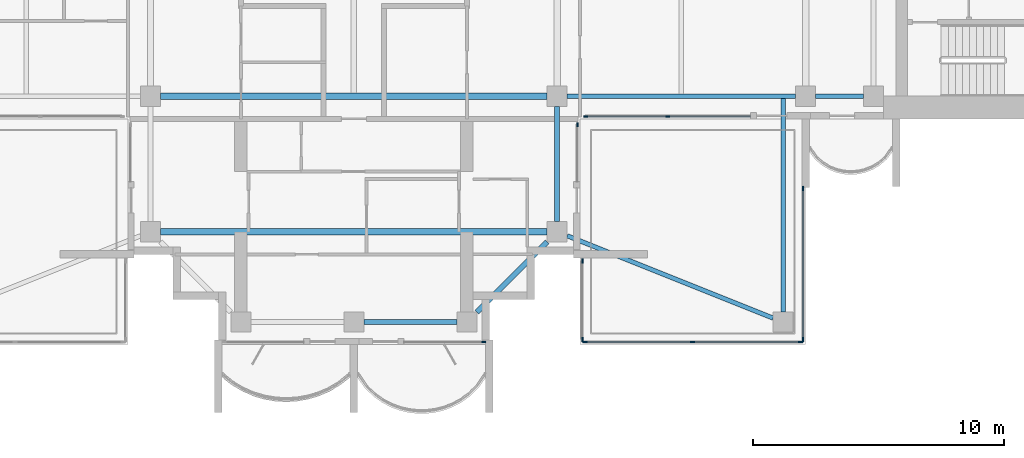
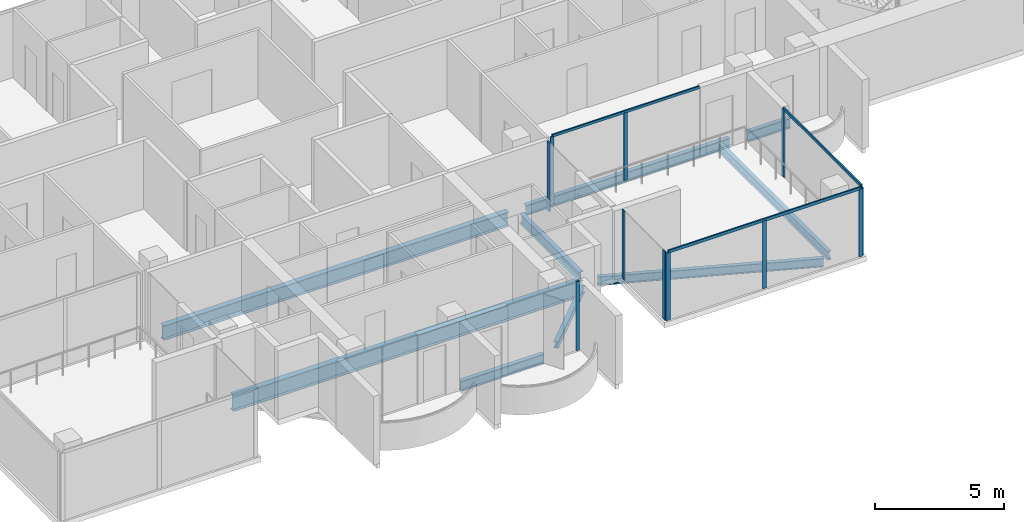
# One storey, part 3 of 16: 14 members, 9 beams, 6 elements without a shape of their own.
"""IFC4 building model written with IfcOpenShell, lengths in metres."""

from ifc_helpers import new_model, si_unit, direction, frame, origin, origin_2d, place, context, subcontext, project, spatial, rectangle, i_section, extrude, material, material_profile, profile_set, type_object, element, aggregate, save


model = new_model("IFC4")

# Units and contexts
model_context = context("Model", 3, precision=1e-05, world=origin(), true_north=direction((0.0, 1.0)))
body_context = subcontext(model_context, "Body", "Model", "MODEL_VIEW")
ifc_project = project(units=[si_unit("LENGTHUNIT", "METRE"), si_unit("AREAUNIT", "SQUARE_METRE"), si_unit("VOLUMEUNIT", "CUBIC_METRE"), si_unit("PLANEANGLEUNIT", "RADIAN"), si_unit("MASSUNIT", "GRAM", prefix="KILO")], contexts=[model_context])

# Site, building, storey
site_placement = place(None, origin())
site = spatial("IfcSite", under=ifc_project, at=site_placement, CompositionType="ELEMENT")
building_placement = place(site_placement, origin())
building = spatial("IfcBuilding", under=site, at=building_placement, Name="Perihelion Cross Residences", CompositionType="ELEMENT")
storey_placement = place(building_placement, frame((0.0, 0.0, 246.5)))
storey = spatial("IfcBuildingStorey", under=building, at=storey_placement, Name="L62", CompositionType="ELEMENT", Elevation=246.5)

# Curtain wall, member
ifc_material_1 = material(Name="Bronze anodised aluminium, tinted glazing", Category="aluminium")
curtain_wall_type_1 = type_object("IfcCurtainWallType", Name="CW1", PredefinedType="NOTDEFINED", material=ifc_material_1)
curtain_wall_1_placement = place(storey_placement, origin())
curtain_wall_1 = element("IfcCurtainWall", 1, at=curtain_wall_1_placement, inside=storey, type_object=curtain_wall_type_1, Name="Curtain wall CW1 L62 south tip south bay 2", PredefinedType="NOTDEFINED")
ifc_material_2 = material(Name="Bronze anodised aluminium", Category="aluminium")
ifc_material_profile_1 = material_profile(ifc_material_2, rectangle(XDim=0.06005859375, YDim=0.159912109375, at=origin_2d()), Name="CW1 mullion")
ifc_profile_set_1 = profile_set([ifc_material_profile_1], Name="Bronze anodised aluminium")
member_type_1 = type_object("IfcMemberType", Name="CW1 mullion", PredefinedType="MULLION", material=ifc_profile_set_1)
member_1_placement = place(storey_placement, frame((5.169921875, -17.89990234375, 0.0), z_axis=(0.0, 0.0, 1.0), x_axis=(0.0, 1.0, 0.0)))
member_1 = element("IfcMember", 2, at=member_1_placement, type_object=member_type_1, Name="CW1 mullion 2", PredefinedType="MULLION", context=body_context, shape_type="SweptSolid", body=[
    extrude(rectangle(XDim=0.06005859375, YDim=0.159912109375, at=origin_2d()), origin(), (0.0, 0.0, 1.0), 3.25),
])
aggregate(curtain_wall_1, [member_1])

curtain_wall_2_placement = place(storey_placement, origin())
curtain_wall_2 = element("IfcCurtainWall", 3, at=curtain_wall_2_placement, inside=storey, type_object=curtain_wall_type_1, Name="Curtain wall CW1 L62 south side east bay 1", PredefinedType="NOTDEFINED")
member_2_placement = place(storey_placement, frame((8.89990234375, -9.22998046875, 0.0), z_axis=(0.0, 0.0, 1.0), x_axis=(-1.0, 0.0, 0.0)))
member_2 = element("IfcMember", 4, at=member_2_placement, type_object=member_type_1, Name="CW1 mullion 2", PredefinedType="MULLION", context=body_context, shape_type="SweptSolid", body=[
    extrude(rectangle(XDim=0.06005859375, YDim=0.159912109375, at=origin_2d()), origin(), (0.0, 0.0, 1.0), 3.25),
])
aggregate(curtain_wall_2, [member_2])

# Curtain wall, members
curtain_wall_3_placement = place(storey_placement, origin())
curtain_wall_3 = element("IfcCurtainWall", 5, at=curtain_wall_3_placement, inside=storey, type_object=curtain_wall_type_1, Name="Curtain wall CW1 L62 east side south bay 1", PredefinedType="NOTDEFINED")
member_3_placement = place(storey_placement, frame((9.22998046875, -8.89990234375, 0.0), z_axis=(0.0, 0.0, 1.0), x_axis=(0.0, 1.0, 0.0)))
member_3 = element("IfcMember", 6, at=member_3_placement, type_object=member_type_1, Name="CW1 mullion 1", PredefinedType="MULLION", context=body_context, shape_type="SweptSolid", body=[
    extrude(rectangle(XDim=0.06005859375, YDim=0.159912109375, at=origin_2d()), origin(), (0.0, 0.0, 1.0), 3.18994140625),
])
member_4_placement = place(storey_placement, frame((12.5, -8.89990234375, 0.0), z_axis=(0.0, 0.0, 1.0), x_axis=(0.0, 1.0, 0.0)))
member_4 = element("IfcMember", 7, at=member_4_placement, type_object=member_type_1, Name="CW1 mullion 2", PredefinedType="MULLION", context=body_context, shape_type="SweptSolid", body=[
    extrude(rectangle(XDim=0.06005859375, YDim=0.159912109375, at=origin_2d()), origin(), (0.0, 0.0, 1.0), 3.18994140625),
])
ifc_material_3 = material(Name="Bronze anodised aluminium", Category="aluminium")
ifc_material_profile_2 = material_profile(ifc_material_3, rectangle(XDim=0.06005859375, YDim=0.1201171875, at=origin_2d()), Name="CW1 transom")
ifc_profile_set_2 = profile_set([ifc_material_profile_2], Name="Bronze anodised aluminium")
member_type_2 = type_object("IfcMemberType", Name="CW1 transom", PredefinedType="USERDEFINED", material=ifc_profile_set_2)
member_5_placement = place(storey_placement, frame((9.22998046875, -8.89990234375, 3.219970703125), z_axis=(1.0, 0.0, 0.0), x_axis=(0.0, 1.0, 0.0)))
member_5 = element("IfcMember", 8, at=member_5_placement, type_object=member_type_2, Name="CW1 head transom", ObjectType="TRANSOM", PredefinedType="USERDEFINED", context=body_context, shape_type="SweptSolid", body=[
    extrude(rectangle(XDim=0.06005859375, YDim=0.1201171875, at=origin_2d()), origin(), (0.0, 0.0, 1.0), 6.570068359375),
])
aggregate(curtain_wall_3, [member_3, member_4, member_5])

ifc_material_4 = material(Name="Bronze anodised aluminium, tinted glazing", Category="aluminium")
curtain_wall_type_2 = type_object("IfcCurtainWallType", Name="CW4", PredefinedType="NOTDEFINED", material=ifc_material_4)
curtain_wall_4_placement = place(storey_placement, origin())
curtain_wall_4 = element("IfcCurtainWall", 9, at=curtain_wall_4_placement, inside=storey, type_object=curtain_wall_type_2, Name="Curtain wall CW4 L62 pocket south-east 1 1", PredefinedType="NOTDEFINED")
ifc_material_5 = material(Name="Bronze anodised aluminium", Category="aluminium")
ifc_material_profile_3 = material_profile(ifc_material_5, rectangle(XDim=0.06005859375, YDim=0.179931640625, at=origin_2d()), Name="CW4 mullion")
ifc_profile_set_3 = profile_set([ifc_material_profile_3], Name="Bronze anodised aluminium")
member_type_3 = type_object("IfcMemberType", Name="CW4 mullion", PredefinedType="MULLION", material=ifc_profile_set_3)
member_6_placement = place(storey_placement, frame((17.89990234375, -11.77001953125, 0.0), z_axis=(0.0, 0.0, 1.0), x_axis=(1.0, 0.0, 0.0)))
member_6 = element("IfcMember", 10, at=member_6_placement, type_object=member_type_3, Name="CW4 mullion 1", PredefinedType="MULLION", context=body_context, shape_type="SweptSolid", body=[
    extrude(rectangle(XDim=0.06005859375, YDim=0.179931640625, at=origin_2d()), origin(), (0.0, 0.0, 1.0), 3.18994140625),
])
member_7_placement = place(storey_placement, frame((17.89990234375, -17.800048828125, 0.0), z_axis=(0.0, 0.0, 1.0), x_axis=(1.0, 0.0, 0.0)))
member_7 = element("IfcMember", 11, at=member_7_placement, type_object=member_type_3, Name="CW4 mullion 2", PredefinedType="MULLION", context=body_context, shape_type="SweptSolid", body=[
    extrude(rectangle(XDim=0.06005859375, YDim=0.179931640625, at=origin_2d()), origin(), (0.0, 0.0, 1.0), 3.18994140625),
])

curtain_wall_5_placement = place(storey_placement, origin())
curtain_wall_5 = element("IfcCurtainWall", 12, at=curtain_wall_5_placement, inside=storey, type_object=curtain_wall_type_2, Name="Curtain wall CW4 L62 pocket south-east 1 2", PredefinedType="NOTDEFINED")
member_8_placement = place(storey_placement, frame((17.800048828125, -17.89990234375, 0.0), z_axis=(0.0, 0.0, 1.0), x_axis=(0.0, -1.0, 0.0)))
member_8 = element("IfcMember", 13, at=member_8_placement, type_object=member_type_3, Name="CW4 mullion 1", PredefinedType="MULLION", context=body_context, shape_type="SweptSolid", body=[
    extrude(rectangle(XDim=0.06005859375, YDim=0.179931640625, at=origin_2d()), origin(), (0.0, 0.0, 1.0), 3.18994140625),
])
member_9_placement = place(storey_placement, frame((13.5, -17.89990234375, 0.0), z_axis=(0.0, 0.0, 1.0), x_axis=(0.0, -1.0, 0.0)))
member_9 = element("IfcMember", 14, at=member_9_placement, type_object=member_type_3, Name="CW4 mullion 2", PredefinedType="MULLION", context=body_context, shape_type="SweptSolid", body=[
    extrude(rectangle(XDim=0.06005859375, YDim=0.179931640625, at=origin_2d()), origin(), (0.0, 0.0, 1.0), 3.18994140625),
])
member_10_placement = place(storey_placement, frame((9.199951171875, -17.89990234375, 0.0), z_axis=(0.0, 0.0, 1.0), x_axis=(0.0, -1.0, 0.0)))
member_10 = element("IfcMember", 15, at=member_10_placement, type_object=member_type_3, Name="CW4 mullion 3", PredefinedType="MULLION", context=body_context, shape_type="SweptSolid", body=[
    extrude(rectangle(XDim=0.06005859375, YDim=0.179931640625, at=origin_2d()), origin(), (0.0, 0.0, 1.0), 3.18994140625),
])

curtain_wall_6_placement = place(storey_placement, origin())
curtain_wall_6 = element("IfcCurtainWall", 16, at=curtain_wall_6_placement, inside=storey, type_object=curtain_wall_type_2, Name="Curtain wall CW4 L62 pocket south-east 1 3", PredefinedType="NOTDEFINED")
member_11_placement = place(storey_placement, frame((9.10009765625, -17.800048828125, 0.0), z_axis=(0.0, 0.0, 1.0), x_axis=(-1.0, 0.0, 0.0)))
member_11 = element("IfcMember", 17, at=member_11_placement, type_object=member_type_3, Name="CW4 mullion 1", PredefinedType="MULLION", context=body_context, shape_type="SweptSolid", body=[
    extrude(rectangle(XDim=0.06005859375, YDim=0.179931640625, at=origin_2d()), origin(), (0.0, 0.0, 1.0), 3.25),
])
member_12_placement = place(storey_placement, frame((9.10009765625, -14.658935546875, 0.0), z_axis=(0.0, 0.0, 1.0), x_axis=(-1.0, 0.0, 0.0)))
member_12 = element("IfcMember", 18, at=member_12_placement, type_object=member_type_3, Name="CW4 mullion 2", PredefinedType="MULLION", context=body_context, shape_type="SweptSolid", body=[
    extrude(rectangle(XDim=0.06005859375, YDim=0.179931640625, at=origin_2d()), origin(), (0.0, 0.0, 1.0), 3.25),
])
aggregate(curtain_wall_6, [member_11, member_12])

# Member
ifc_material_6 = material(Name="Bronze anodised aluminium", Category="aluminium")
ifc_material_profile_4 = material_profile(ifc_material_6, rectangle(XDim=0.06005859375, YDim=0.139892578125, at=origin_2d()), Name="CW4 transom")
ifc_profile_set_4 = profile_set([ifc_material_profile_4], Name="Bronze anodised aluminium")
member_type_4 = type_object("IfcMemberType", Name="CW4 transom", PredefinedType="USERDEFINED", material=ifc_profile_set_4)
member_13_placement = place(storey_placement, frame((17.89990234375, -11.77001953125, 3.219970703125), z_axis=(0.0, -1.0, 0.0), x_axis=(1.0, 0.0, 0.0)))
member_13 = element("IfcMember", 19, at=member_13_placement, type_object=member_type_4, Name="CW4 head transom", ObjectType="TRANSOM", PredefinedType="USERDEFINED", context=body_context, shape_type="SweptSolid", body=[
    extrude(rectangle(XDim=0.06005859375, YDim=0.139892578125, at=origin_2d()), origin(), (0.0, 0.0, 1.0), 6.030029296875),
])

aggregate(curtain_wall_4, [member_6, member_7, member_13])

member_14_placement = place(storey_placement, frame((17.800048828125, -17.89990234375, 3.219970703125), z_axis=(-1.0, 0.0, 0.0), x_axis=(0.0, -1.0, 0.0)))
member_14 = element("IfcMember", 20, at=member_14_placement, type_object=member_type_4, Name="CW4 head transom", ObjectType="TRANSOM", PredefinedType="USERDEFINED", context=body_context, shape_type="SweptSolid", body=[
    extrude(rectangle(XDim=0.06005859375, YDim=0.139892578125, at=origin_2d()), origin(), (0.0, 0.0, 1.0), 8.60009765625),
])

aggregate(curtain_wall_5, [member_8, member_9, member_10, member_14])

# Beams
ifc_material_7 = material(Name="Steel S355", Category="steel")
ifc_material_profile_5 = material_profile(ifc_material_7, i_section(OverallWidth=0.177978515625, OverallDepth=0.406005859375, WebThickness=0.0078125, FlangeThickness=0.0126953125, at=origin_2d()), Name="W410x60")
ifc_profile_set_5 = profile_set([ifc_material_profile_5], Name="Steel S355")
beam_type_1 = type_object("IfcBeamType", Name="Core edge beam W410x60", PredefinedType="BEAM", material=ifc_profile_set_5)
beam_1_placement = place(storey_placement, frame((17.10009765625, -8.197021484375, -0.452880859375), z_axis=(0.0, -1.0, 0.0), x_axis=(1.0, 0.0, 0.0)))
element("IfcBeam", 21, at=beam_1_placement, inside=storey, type_object=beam_type_1, Name="Core edge beam TB2 L62 corner no. 3", PredefinedType="BEAM", context=body_context, shape_type="SweptSolid", body=[
    extrude(i_section(OverallWidth=0.177978515625, OverallDepth=0.406005859375, WebThickness=0.0078125, FlangeThickness=0.0126953125, at=origin_2d()), origin(), (0.0, 0.0, 1.0), 8.5029296875),
])
beam_2_placement = place(storey_placement, frame((8.5, -13.659912109375, -0.452880859375), z_axis=(0.928474784399, -0.371395442534, 0.0), x_axis=(0.371395442534, 0.928474784399, 0.0)))
element("IfcBeam", 22, at=beam_2_placement, inside=storey, type_object=beam_type_1, Name="Core edge beam TB2 L62 corner no. 4", PredefinedType="BEAM", context=body_context, shape_type="SweptSolid", body=[
    extrude(i_section(OverallWidth=0.177978515625, OverallDepth=0.406005859375, WebThickness=0.0078125, FlangeThickness=0.0126953125, at=origin_2d()), origin(), (0.0, 0.0, 1.0), 8.83154296875),
])
ifc_material_8 = material(Name="Steel S355", Category="steel")
ifc_material_profile_6 = material_profile(ifc_material_8, i_section(OverallWidth=0.194091796875, OverallDepth=0.469970703125, WebThickness=0.0126953125, FlangeThickness=0.0205078125, at=origin_2d()), Name="W460x106")
ifc_profile_set_6 = profile_set([ifc_material_profile_6], Name="Steel S355")
beam_type_2 = type_object("IfcBeamType", Name="Edge beam W460x106", PredefinedType="SPANDREL", material=ifc_profile_set_6)
beam_3_placement = place(storey_placement, frame((0.39990234375, -17.10009765625, -0.485107421875), z_axis=(1.0, 0.0, 0.0), x_axis=(0.0, 1.0, 0.0)))
element("IfcBeam", 23, at=beam_3_placement, inside=storey, type_object=beam_type_2, Name="Edge beam SB5 L62 no. 7", PredefinedType="SPANDREL", context=body_context, shape_type="SweptSolid", body=[
    extrude(i_section(OverallWidth=0.194091796875, OverallDepth=0.469970703125, WebThickness=0.0126953125, FlangeThickness=0.0205078125, at=origin_2d()), origin(), (0.0, 0.0, 1.0), 3.7001953125),
])
beam_4_placement = place(storey_placement, frame((8.10009765625, -13.10009765625, -0.485107421875), z_axis=(0.0, 1.0, 0.0), x_axis=(-1.0, 0.0, 0.0)))
element("IfcBeam", 24, at=beam_4_placement, inside=storey, type_object=beam_type_2, Name="Edge beam SB5 L62 no. 11", PredefinedType="SPANDREL", context=body_context, shape_type="SweptSolid", body=[
    extrude(i_section(OverallWidth=0.194091796875, OverallDepth=0.469970703125, WebThickness=0.0126953125, FlangeThickness=0.0205078125, at=origin_2d()), origin(), (0.0, 0.0, 1.0), 4.60009765625),
])
beam_5_placement = place(storey_placement, frame((8.5, -8.10009765625, -0.485107421875), z_axis=(1.0, 0.0, 0.0), x_axis=(0.0, 1.0, 0.0)))
element("IfcBeam", 25, at=beam_5_placement, inside=storey, type_object=beam_type_2, Name="Edge beam SB5 L62 no. 12", PredefinedType="SPANDREL", context=body_context, shape_type="SweptSolid", body=[
    extrude(i_section(OverallWidth=0.194091796875, OverallDepth=0.469970703125, WebThickness=0.0126953125, FlangeThickness=0.0205078125, at=origin_2d()), origin(), (0.0, 0.0, 1.0), 9.10009765625),
])
beam_6_placement = place(storey_placement, frame((18.39990234375, -8.10009765625, -0.485107421875), z_axis=(1.0, 0.0, 0.0), x_axis=(0.0, 1.0, 0.0)))
element("IfcBeam", 26, at=beam_6_placement, inside=storey, type_object=beam_type_2, Name="Edge beam SB5 L62 no. 8", PredefinedType="SPANDREL", context=body_context, shape_type="SweptSolid", body=[
    extrude(i_section(OverallWidth=0.194091796875, OverallDepth=0.469970703125, WebThickness=0.0126953125, FlangeThickness=0.0205078125, at=origin_2d()), origin(), (0.0, 0.0, 1.0), 1.900146484375),
])
ifc_material_9 = material(Name="Steel S355", Category="steel")
ifc_material_profile_7 = material_profile(ifc_material_9, i_section(OverallWidth=0.26708984375, OverallDepth=0.75390625, WebThickness=0.01318359375, FlangeThickness=0.01708984375, at=origin_2d()), Name="W760x147")
ifc_profile_set_7 = profile_set([ifc_material_profile_7], Name="Steel S355")
beam_type_3 = type_object("IfcBeamType", Name="Floor girder W760x147", PredefinedType="BEAM", material=ifc_profile_set_7)
beam_7_placement = place(storey_placement, frame((-7.699951171875, -13.5, -0.626953125), z_axis=(1.0, 0.0, 0.0), x_axis=(0.0, 1.0, 0.0)))
element("IfcBeam", 27, at=beam_7_placement, inside=storey, type_object=beam_type_3, Name="Girder G5 L62 no. 3", PredefinedType="BEAM", context=body_context, shape_type="SweptSolid", body=[
    extrude(i_section(OverallWidth=0.26708984375, OverallDepth=0.75390625, WebThickness=0.01318359375, FlangeThickness=0.01708984375, at=origin_2d()), origin(), (0.0, 0.0, 1.0), 15.39990234375),
])
ifc_material_10 = material(Name="Steel S355", Category="steel")
ifc_material_profile_8 = material_profile(ifc_material_10, i_section(OverallWidth=0.25390625, OverallDepth=0.677978515625, WebThickness=0.01171875, FlangeThickness=0.016357421875, at=origin_2d()), Name="W690x125")
ifc_profile_set_8 = profile_set([ifc_material_profile_8], Name="Steel S355")
beam_type_4 = type_object("IfcBeamType", Name="Hub ring girder W690x125", PredefinedType="BEAM", material=ifc_profile_set_8)
beam_8_placement = place(storey_placement, frame((-7.699951171875, -8.10009765625, -0.589111328125), z_axis=(1.0, 0.0, 0.0), x_axis=(0.0, 1.0, 0.0)))
element("IfcBeam", 28, at=beam_8_placement, inside=storey, type_object=beam_type_4, Name="Hub ring girder RG5 L62 no. 1", PredefinedType="BEAM", context=body_context, shape_type="SweptSolid", body=[
    extrude(i_section(OverallWidth=0.25390625, OverallDepth=0.677978515625, WebThickness=0.01171875, FlangeThickness=0.016357421875, at=origin_2d()), origin(), (0.0, 0.0, 1.0), 15.39990234375),
])
ifc_material_11 = material(Name="Steel S355", Category="steel")
ifc_material_profile_9 = material_profile(ifc_material_11, i_section(OverallWidth=0.202880859375, OverallDepth=0.302001953125, WebThickness=0.007568359375, FlangeThickness=0.01318359375, at=origin_2d()), Name="W310x60")
ifc_profile_set_9 = profile_set([ifc_material_profile_9], Name="Steel S355")
beam_type_5 = type_object("IfcBeamType", Name="Serration edge beam W310x60", PredefinedType="BEAM", material=ifc_profile_set_9)
beam_9_placement = place(storey_placement, frame((4.89990234375, -16.699951171875, -0.40087890625), z_axis=(0.707106781187, 0.707106781187, 0.0), x_axis=(-0.707106781187, 0.707106781187, 0.0)))
element("IfcBeam", 29, at=beam_9_placement, inside=storey, type_object=beam_type_5, Name="Serration edge beam EB5 L62 no. 2", PredefinedType="BEAM", context=body_context, shape_type="SweptSolid", body=[
    extrude(i_section(OverallWidth=0.202880859375, OverallDepth=0.302001953125, WebThickness=0.007568359375, FlangeThickness=0.01318359375, at=origin_2d()), origin(), (0.0, 0.0, 1.0), 3.9599609375),
])

save(model, "model.ifc")
